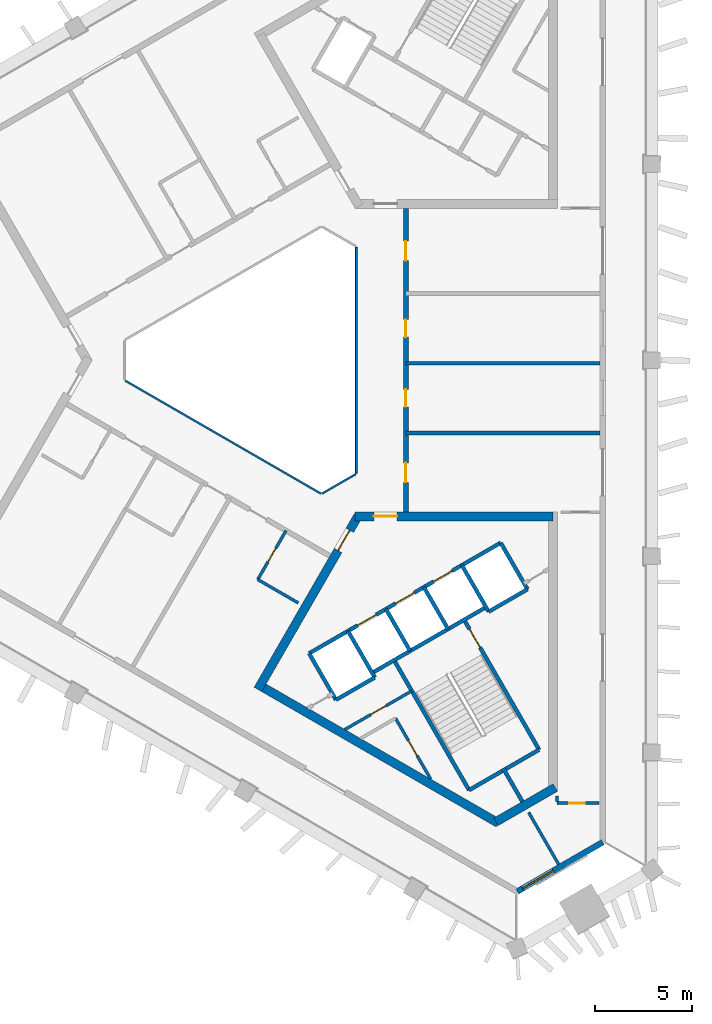
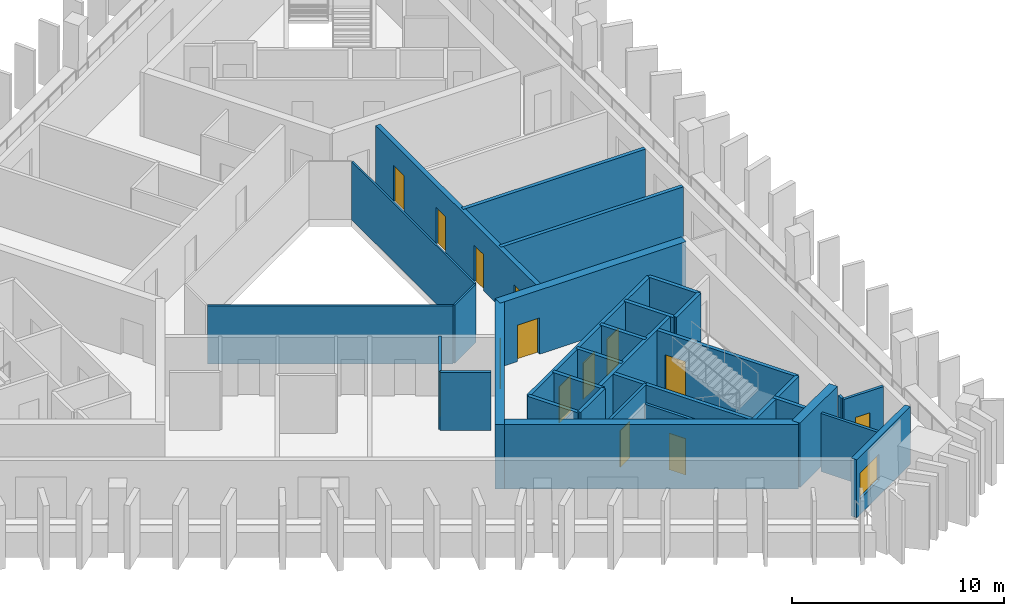
# One storey, part 3 of 9: 32 walls, 14 doors, 1 window, 15 openings.
"""IFC4 building model written with IfcOpenShell, lengths in metres."""

from ifc_helpers import new_model, si_unit, direction, frame, frame_2d, origin, place, context, subcontext, project, spatial, rectangle, extrude, material, layer, layer_set, type_object, element, fill, save


model = new_model("IFC4")

# Units and contexts
model_context = context("Model", 3, precision=1e-05, world=origin(), true_north=direction((0.0, 1.0)))
body_context = subcontext(model_context, "Body", "Model", "MODEL_VIEW")
ifc_project = project(units=[si_unit("LENGTHUNIT", "METRE"), si_unit("AREAUNIT", "SQUARE_METRE"), si_unit("VOLUMEUNIT", "CUBIC_METRE"), si_unit("PLANEANGLEUNIT", "RADIAN"), si_unit("MASSUNIT", "GRAM", prefix="KILO")], contexts=[model_context])

# Site, building, storey
site_placement = place(None, origin())
site = spatial("IfcSite", under=ifc_project, at=site_placement, CompositionType="ELEMENT")
building_placement = place(site_placement, origin())
building = spatial("IfcBuilding", under=site, at=building_placement, Name="Jabali Bay Hotel Tower and Convention Centre", CompositionType="ELEMENT")
storey_placement = place(building_placement, frame((0.0, 0.0, 242.800048828125)))
storey = spatial("IfcBuildingStorey", under=building, at=storey_placement, Name="L60", CompositionType="ELEMENT", Elevation=242.800048828125)

# Walls
ifc_material_1 = material(Name="Fire-resistant glazing", Category="glass")
ifc_layer_1 = layer(ifc_material_1, 0.10009765625)
ifc_layer_set_1 = layer_set([ifc_layer_1], Name="Fire-resistant glazing")
wall_type_1 = type_object("IfcWallType", Name="Atrium glazed screen 100", PredefinedType="PARTITIONING", material=ifc_layer_set_1)
for number, where, z_axis, x_axis, name in (
    (1, (79.56005859375, 74.205810546875, 0.0), (0.0, 0.0, 1.0), (0.0, 1.0, 0.0), "Atrium screen 1 L60"),
    (2, (67.7021484375, 78.947998046875, 0.0), (0.0, 0.0, 1.0), (0.866026658274, -0.499997827154, 0.0), "Atrium screen 5 L60"),
):
    element("IfcWall", number, at=place(storey_placement, frame(where, z_axis=z_axis, x_axis=x_axis)), inside=storey, type_object=wall_type_1, Name=name, PredefinedType="PARTITIONING", context=body_context, shape_type="SweptSolid", body=[
        extrude(rectangle(XDim=11.58837890625, YDim=0.10009765625, at=frame_2d((5.794189453125, 0.0))), origin(), (0.0, 0.0, 1.0), 3.349853515625),
    ])
wall_1_placement = place(storey_placement, frame((77.7978515625, 73.15380859375, 0.0), z_axis=(0.0, 0.0, 1.0), x_axis=(0.866041268327, 0.499972520799, 0.0)))
element("IfcWall", 3, at=wall_1_placement, inside=storey, type_object=wall_type_1, Name="Atrium screen 6 L60", PredefinedType="PARTITIONING", context=body_context, shape_type="SweptSolid", body=[
    extrude(rectangle(XDim=2.0, YDim=0.10009765625, at=frame_2d((1.0, 0.0))), origin(), (0.0, 0.0, 1.0), 3.349853515625),
])
ifc_material_2 = material(Name="Concrete C40", Category="concrete")
ifc_layer_2 = layer(ifc_material_2, 0.199951171875)
ifc_layer_set_2 = layer_set([ifc_layer_2], Name="Concrete C40")
wall_type_2 = type_object("IfcWallType", Name="Core partition wall 200", PredefinedType="PARTITIONING", material=ifc_layer_set_2)
wall_2_placement = place(storey_placement, frame((87.090087890625, 59.0595703125, 0.0), z_axis=(0.0, 0.0, 1.0), x_axis=(0.500011643316, -0.866018681408, 0.0)))
element("IfcWall", 4, at=wall_2_placement, inside=storey, type_object=wall_type_2, Name="Core wall 2.5 L60", PredefinedType="PARTITIONING", context=body_context, shape_type="SweptSolid", body=[
    extrude(rectangle(XDim=1.97314453125, YDim=0.199951171875, at=frame_2d((0.986572265625, 0.0))), origin(), (0.0, 0.0, 1.0), 3.349853515625),
])

# Wall, opening, door
ifc_material_3 = material(Name="Fire-rated board partition")
ifc_layer_3 = layer(ifc_material_3, 0.14990234375)
ifc_layer_set_3 = layer_set([ifc_layer_3], Name="Fire-rated board partition")
wall_type_3 = type_object("IfcWallType", Name="Core room partition 150", PredefinedType="PARTITIONING", material=ifc_layer_set_3)
wall_3_placement = place(storey_placement, frame((81.56884765625, 61.622314453125, 0.0), z_axis=(0.0, 0.0, 1.0), x_axis=(0.500043557135, -0.866000254601, 0.0)))
wall_3 = element("IfcWall", 5, at=wall_3_placement, inside=storey, type_object=wall_type_3, Name="Core wall 2.1 L60", PredefinedType="PARTITIONING", context=body_context, shape_type="SweptSolid", body=[
    extrude(rectangle(XDim=3.597900390625, YDim=0.14990234375, at=frame_2d((1.798828125, 0.0))), origin(), (0.0, 0.0, 1.0), 3.349853515625),
])
opening_1_placement = place(wall_3_placement, frame((1.321533203125, 0.0, 0.0)))
opening_1 = element("IfcOpeningElement", 6, at=opening_1_placement, cuts=wall_3, Name="Opening D1328", PredefinedType="OPENING", context=body_context, shape_type="SweptSolid", body=[
    extrude(rectangle(XDim=0.89990234375, YDim=2.10009765625, at=frame_2d((0.449951171875, 1.050048828125))), frame((0.0, 0.08544921875, 0.0), z_axis=(0.0, -1.0, 0.0), x_axis=(1.0, 0.0, 0.0)), (0.0, 0.0, 1.0), 0.1708984375),
])
ifc_material_4 = material(Name="Fire-rated steel door", Category="steel")
door_type_1 = type_object("IfcDoorType", Name="Core room door 900 x 2100", OperationType="NOTDEFINED", PredefinedType="NOTDEFINED", material=ifc_material_4)
door_1_placement = place(opening_1_placement, origin())
door_1 = element("IfcDoor", 7, at=door_1_placement, inside=storey, type_object=door_type_1, Name="Core room door D1328", OperationType="SINGLE_SWING_LEFT", OverallHeight=2.10009765625, OverallWidth=0.89990234375, PredefinedType="NOTDEFINED", context=body_context, shape_type="SweptSolid", body=[
    extrude(rectangle(XDim=0.89990234375, YDim=2.10009765625, at=frame_2d((0.449951171875, 1.050048828125))), frame((0.0, 0.02490234375, 0.0), z_axis=(0.0, -1.0, 0.0), x_axis=(1.0, 0.0, 0.0)), (0.0, 0.0, 1.0), 0.050048828125),
])
fill(opening_1, door_1)

wall_4_placement = place(storey_placement, frame((78.969970703125, 61.045654296875, 0.0), z_axis=(0.0, 0.0, 1.0), x_axis=(0.866044057189, 0.499967689963, 0.0)))
wall_4 = element("IfcWall", 8, at=wall_4_placement, inside=storey, type_object=wall_type_3, Name="Core wall 2.16 L60", PredefinedType="PARTITIONING", context=body_context, shape_type="SweptSolid", body=[
    extrude(rectangle(XDim=3.964111328125, YDim=0.14990234375, at=frame_2d((1.98193359375, 0.0))), origin(), (0.0, 0.0, 1.0), 3.349853515625),
])
opening_2_placement = place(wall_4_placement, frame((1.531982421875, 0.0, 0.0)))
opening_2 = element("IfcOpeningElement", 9, at=opening_2_placement, cuts=wall_4, Name="Opening D1324", PredefinedType="OPENING", context=body_context, shape_type="SweptSolid", body=[
    extrude(rectangle(XDim=0.89990234375, YDim=2.10009765625, at=frame_2d((0.449951171875, 1.050048828125))), frame((0.0, 0.08544921875, 0.0), z_axis=(0.0, -1.0, 0.0), x_axis=(1.0, 0.0, 0.0)), (0.0, 0.0, 1.0), 0.1708984375),
])
door_2_placement = place(opening_2_placement, origin())
door_2 = element("IfcDoor", 10, at=door_2_placement, inside=storey, type_object=door_type_1, Name="Core room door D1324", OperationType="SINGLE_SWING_RIGHT", OverallHeight=2.10009765625, OverallWidth=0.89990234375, PredefinedType="NOTDEFINED", context=body_context, shape_type="SweptSolid", body=[
    extrude(rectangle(XDim=0.89990234375, YDim=2.10009765625, at=frame_2d((0.449951171875, 1.050048828125))), frame((0.0, 0.02490234375, 0.0), z_axis=(0.0, -1.0, 0.0), x_axis=(1.0, 0.0, 0.0)), (0.0, 0.0, 1.0), 0.050048828125),
])
fill(opening_2, door_2)

# Walls
ifc_layer_4 = layer(ifc_material_2, 0.199951171875)
ifc_layer_set_4 = layer_set([ifc_layer_4], Name="Concrete C40")
wall_type_4 = type_object("IfcWallType", Name="Core stair wall 200", PredefinedType="SOLIDWALL", material=ifc_layer_set_4)
for number, where, z_axis, x_axis, name in (
    (11, (77.13525390625, 64.95166015625, 0.0), (0.0, 0.0, 1.0), (0.499996545922, -0.866027397988, 0.0), "Core wall 2.0 L60"),
    (12, (79.127197265625, 66.1015625, 0.0), (0.0, 0.0, 1.0), (0.499996545922, -0.866027397988, 0.0), "Core wall 2.2 L60"),
):
    element("IfcWall", number, at=place(storey_placement, frame(where, z_axis=z_axis, x_axis=x_axis)), inside=storey, type_object=wall_type_4, Name=name, PredefinedType="SOLIDWALL", context=body_context, shape_type="SweptSolid", body=[
        extrude(rectangle(XDim=2.75, YDim=0.199951171875, at=frame_2d((1.375, 0.0))), origin(), (0.0, 0.0, 1.0), 3.349853515625),
    ])
wall_5_placement = place(storey_placement, frame((81.492919921875, 64.603759765625, 0.0), z_axis=(0.0, 0.0, 1.0), x_axis=(0.500006057782, -0.866021906294, 0.0)))
element("IfcWall", 13, at=wall_5_placement, inside=storey, type_object=wall_type_4, Name="Core wall 2.3 L60", PredefinedType="SOLIDWALL", context=body_context, shape_type="SweptSolid", body=[
    extrude(rectangle(XDim=7.7001953125, YDim=0.199951171875, at=frame_2d((3.85009765625, 0.0))), origin(), (0.0, 0.0, 1.0), 3.349853515625),
])
for number, where, z_axis, x_axis, name in (
    (14, (81.07568359375, 67.2265625, 0.0), (0.0, 0.0, 1.0), (0.50000366821, -0.866023285932, 0.0), "Core wall 2.4 L60"),
    (15, (83.024169921875, 68.3515625, 0.0), (0.0, 0.0, 1.0), (0.50000366821, -0.866023285932, 0.0), "Core wall 2.6 L60"),
):
    element("IfcWall", number, at=place(storey_placement, frame(where, z_axis=z_axis, x_axis=x_axis)), inside=storey, type_object=wall_type_4, Name=name, PredefinedType="SOLIDWALL", context=body_context, shape_type="SweptSolid", body=[
        extrude(rectangle(XDim=2.47998046875, YDim=0.199951171875, at=frame_2d((1.239990234375, 0.0))), origin(), (0.0, 0.0, 1.0), 3.349853515625),
    ])

# Wall, opening, door
wall_6_placement = place(storey_placement, frame((85.0869140625, 66.6787109375, 0.0), z_axis=(0.0, 0.0, 1.0), x_axis=(0.500019787375, -0.866013979237, 0.0)))
wall_6 = element("IfcWall", 16, at=wall_6_placement, inside=storey, type_object=wall_type_4, Name="Core wall 2.7 L60", PredefinedType="SOLIDWALL", context=body_context, shape_type="SweptSolid", body=[
    extrude(rectangle(XDim=7.699951171875, YDim=0.199951171875, at=frame_2d((3.85009765625, 0.0))), origin(), (0.0, 0.0, 1.0), 3.349853515625),
])
opening_3_placement = place(wall_6_placement, frame((0.550048828125, 0.0, 0.0)))
opening_3 = element("IfcOpeningElement", 17, at=opening_3_placement, cuts=wall_6, Name="Opening D1327", PredefinedType="OPENING", context=body_context, shape_type="SweptSolid", body=[
    extrude(rectangle(XDim=1.10009765625, YDim=2.10009765625, at=frame_2d((0.550048828125, 1.050048828125))), frame((0.0, 0.1103515625, 0.0), z_axis=(0.0, -1.0, 0.0), x_axis=(1.0, 0.0, 0.0)), (0.0, 0.0, 1.0), 0.220947265625),
])
door_type_2 = type_object("IfcDoorType", Name="Stair fire door 1100 x 2100", OperationType="NOTDEFINED", PredefinedType="NOTDEFINED", material=ifc_material_4)
door_3_placement = place(opening_3_placement, origin())
door_3 = element("IfcDoor", 18, at=door_3_placement, inside=storey, type_object=door_type_2, Name="Stair fire door D1327", OperationType="SINGLE_SWING_RIGHT", OverallHeight=2.10009765625, OverallWidth=1.10009765625, PredefinedType="NOTDEFINED", context=body_context, shape_type="SweptSolid", body=[
    extrude(rectangle(XDim=1.10009765625, YDim=2.10009765625, at=frame_2d((0.550048828125, 1.050048828125))), frame((0.0, 0.02490234375, 0.0), z_axis=(0.0, -1.0, 0.0), x_axis=(1.0, 0.0, 0.0)), (0.0, 0.0, 1.0), 0.050048828125),
])
fill(opening_3, door_3)

# Walls
for number, where, z_axis, x_axis, name in (
    (19, (84.972900390625, 69.4765625, 0.0), (0.0, 0.0, 1.0), (0.499996545922, -0.866027397988, 0.0), "Core wall 2.8 L60"),
    (20, (86.964599609375, 70.62646484375, 0.0), (0.0, 0.0, 1.0), (0.499996545922, -0.866027397988, 0.0), "Core wall 2.9 L60"),
):
    element("IfcWall", number, at=place(storey_placement, frame(where, z_axis=z_axis, x_axis=x_axis)), inside=storey, type_object=wall_type_4, Name=name, PredefinedType="SOLIDWALL", context=body_context, shape_type="SweptSolid", body=[
        extrude(rectangle(XDim=2.75, YDim=0.199951171875, at=frame_2d((1.375, 0.0))), origin(), (0.0, 0.0, 1.0), 3.349853515625),
    ])

# Wall, openings, doors
wall_7_placement = place(storey_placement, frame((77.13525390625, 64.95166015625, 0.0), z_axis=(0.0, 0.0, 1.0), x_axis=(0.866031916153, 0.499988720078, 0.0)))
wall_7 = element("IfcWall", 21, at=wall_7_placement, inside=storey, type_object=wall_type_4, Name="Core wall 2.10 L60", PredefinedType="SOLIDWALL", context=body_context, shape_type="SweptSolid", body=[
    extrude(rectangle(XDim=11.349853515625, YDim=0.199951171875, at=frame_2d((5.6748046875, 0.0))), origin(), (0.0, 0.0, 1.0), 3.349853515625),
])
opening_4_placement = place(wall_7_placement, frame((2.875, 0.0, 0.0)))
opening_4 = element("IfcOpeningElement", 22, at=opening_4_placement, cuts=wall_7, Name="Opening LD12-L60", PredefinedType="OPENING", context=body_context, shape_type="SweptSolid", body=[
    extrude(rectangle(XDim=1.10009765625, YDim=2.10009765625, at=frame_2d((0.550048828125, 1.050048828125))), frame((0.0, 0.1103515625, 0.0), z_axis=(0.0, -1.0, 0.0), x_axis=(1.0, 0.0, 0.0)), (0.0, 0.0, 1.0), 0.220947265625),
])
opening_5_placement = place(wall_7_placement, frame((5.125, 0.0, 0.0)))
opening_5 = element("IfcOpeningElement", 23, at=opening_5_placement, cuts=wall_7, Name="Opening LD13-L60", PredefinedType="OPENING", context=body_context, shape_type="SweptSolid", body=[
    extrude(rectangle(XDim=1.10009765625, YDim=2.10009765625, at=frame_2d((0.550048828125, 1.050048828125))), frame((0.0, 0.1103515625, 0.0), z_axis=(0.0, -1.0, 0.0), x_axis=(1.0, 0.0, 0.0)), (0.0, 0.0, 1.0), 0.220947265625),
])
opening_6_placement = place(wall_7_placement, frame((7.375, 0.0, 0.0)))
opening_6 = element("IfcOpeningElement", 24, at=opening_6_placement, cuts=wall_7, Name="Opening LD14-L60", PredefinedType="OPENING", context=body_context, shape_type="SweptSolid", body=[
    extrude(rectangle(XDim=1.10009765625, YDim=2.10009765625, at=frame_2d((0.550048828125, 1.050048828125))), frame((0.0, 0.1103515625, 0.0), z_axis=(0.0, -1.0, 0.0), x_axis=(1.0, 0.0, 0.0)), (0.0, 0.0, 1.0), 0.220947265625),
])
ifc_material_5 = material(Name="Stainless steel landing door", Category="steel")
door_type_3 = type_object("IfcDoorType", Name="Landing door 1100 x 2100", OperationType="NOTDEFINED", PredefinedType="NOTDEFINED", material=ifc_material_5)
door_4_placement = place(opening_4_placement, origin())
door_4 = element("IfcDoor", 25, at=door_4_placement, inside=storey, type_object=door_type_3, Name="Landing doors LD12-L60", OperationType="SLIDING_TO_LEFT", OverallHeight=2.10009765625, OverallWidth=1.10009765625, PredefinedType="NOTDEFINED", context=body_context, shape_type="SweptSolid", body=[
    extrude(rectangle(XDim=1.10009765625, YDim=2.10009765625, at=frame_2d((0.550048828125, 1.050048828125))), frame((0.0, 0.02490234375, 0.0), z_axis=(0.0, -1.0, 0.0), x_axis=(1.0, 0.0, 0.0)), (0.0, 0.0, 1.0), 0.050048828125),
])
fill(opening_4, door_4)
door_5_placement = place(opening_5_placement, origin())
door_5 = element("IfcDoor", 26, at=door_5_placement, inside=storey, type_object=door_type_3, Name="Landing doors LD13-L60", OperationType="SLIDING_TO_RIGHT", OverallHeight=2.10009765625, OverallWidth=1.10009765625, PredefinedType="NOTDEFINED", context=body_context, shape_type="SweptSolid", body=[
    extrude(rectangle(XDim=1.10009765625, YDim=2.10009765625, at=frame_2d((0.550048828125, 1.050048828125))), frame((0.0, 0.02490234375, 0.0), z_axis=(0.0, -1.0, 0.0), x_axis=(1.0, 0.0, 0.0)), (0.0, 0.0, 1.0), 0.050048828125),
])
fill(opening_5, door_5)
door_6_placement = place(opening_6_placement, origin())
door_6 = element("IfcDoor", 27, at=door_6_placement, inside=storey, type_object=door_type_3, Name="Landing doors LD14-L60", OperationType="SLIDING_TO_LEFT", OverallHeight=2.10009765625, OverallWidth=1.10009765625, PredefinedType="NOTDEFINED", context=body_context, shape_type="SweptSolid", body=[
    extrude(rectangle(XDim=1.10009765625, YDim=2.10009765625, at=frame_2d((0.550048828125, 1.050048828125))), frame((0.0, 0.02490234375, 0.0), z_axis=(0.0, -1.0, 0.0), x_axis=(1.0, 0.0, 0.0)), (0.0, 0.0, 1.0), 0.050048828125),
])
fill(opening_6, door_6)

# Walls
wall_8_placement = place(storey_placement, frame((80.3671875, 63.953857421875, 0.0), z_axis=(0.0, 0.0, 1.0), x_axis=(0.866026575979, 0.499997969693, 0.0)))
element("IfcWall", 28, at=wall_8_placement, inside=storey, type_object=wall_type_4, Name="Core wall 2.13 L60", PredefinedType="SOLIDWALL", context=body_context, shape_type="SweptSolid", body=[
    extrude(rectangle(XDim=6.75, YDim=0.199951171875, at=frame_2d((3.375, 0.0))), origin(), (0.0, 0.0, 1.0), 3.349853515625),
])
wall_9_placement = place(storey_placement, frame((78.51025390625, 62.570068359375, 0.0), z_axis=(0.0, 0.0, 1.0), x_axis=(0.866053019151, 0.499952165731, 0.0)))
element("IfcWall", 29, at=wall_9_placement, inside=storey, type_object=wall_type_4, Name="Core wall 2.14 L60", PredefinedType="SOLIDWALL", context=body_context, shape_type="SweptSolid", body=[
    extrude(rectangle(XDim=2.300048828125, YDim=0.199951171875, at=frame_2d((1.14990234375, 0.0))), origin(), (0.0, 0.0, 1.0), 3.349853515625),
])
wall_10_placement = place(storey_placement, frame((86.347900390625, 67.094970703125, 0.0), z_axis=(0.0, 0.0, 1.0), x_axis=(0.86602648383, 0.499998129301, 0.0)))
element("IfcWall", 30, at=wall_10_placement, inside=storey, type_object=wall_type_4, Name="Core wall 2.15 L60", PredefinedType="SOLIDWALL", context=body_context, shape_type="SweptSolid", body=[
    extrude(rectangle(XDim=2.2998046875, YDim=0.199951171875, at=frame_2d((1.14990234375, 0.0))), origin(), (0.0, 0.0, 1.0), 3.349853515625),
])
wall_11_placement = place(storey_placement, frame((85.343017578125, 57.935302734375, 0.0), z_axis=(0.0, 0.0, 1.0), x_axis=(0.866004344652, 0.500036473714, 0.0)))
element("IfcWall", 31, at=wall_11_placement, inside=storey, type_object=wall_type_4, Name="Core wall 2.18 L60", PredefinedType="SOLIDWALL", context=body_context, shape_type="SweptSolid", body=[
    extrude(rectangle(XDim=4.150146484375, YDim=0.199951171875, at=frame_2d((2.0751953125, 0.0))), origin(), (0.0, 0.0, 1.0), 3.349853515625),
])

# Wall, opening, door
ifc_material_6 = material(Name="Concrete C60", Category="concrete")
ifc_layer_5 = layer(ifc_material_6, 0.449951171875)
ifc_layer_set_5 = layer_set([ifc_layer_5], Name="Concrete C60")
wall_type_5 = type_object("IfcWallType", Name="Core wall 450", PredefinedType="SHEAR", material=ifc_layer_set_5)
wall_12_placement = place(storey_placement, frame((79.6298828125, 71.980712890625, 0.0), z_axis=(0.0, 0.0, 1.0), x_axis=(-0.500002171595, -0.86602415001, 0.0)))
wall_12 = element("IfcWall", 32, at=wall_12_placement, inside=storey, type_object=wall_type_5, Name="Core wall 3.1 L60", PredefinedType="SHEAR", context=body_context, shape_type="SweptSolid", body=[
    extrude(rectangle(XDim=10.25, YDim=0.449951171875, at=frame_2d((5.125, 0.0))), origin(), (0.0, 0.0, 1.0), 3.699951171875),
])
opening_7_placement = place(wall_12_placement, frame((0.820068359375, 0.0, 0.0)))
opening_7 = element("IfcOpeningElement", 33, at=opening_7_placement, cuts=wall_12, Name="Opening D1322", PredefinedType="OPENING", context=body_context, shape_type="SweptSolid", body=[
    extrude(rectangle(XDim=1.199951171875, YDim=2.10009765625, at=frame_2d((0.60009765625, 1.050048828125))), frame((0.0, 0.2353515625, 0.0), z_axis=(0.0, -1.0, 0.0), x_axis=(1.0, 0.0, 0.0)), (0.0, 0.0, 1.0), 0.470947265625),
])
door_type_4 = type_object("IfcDoorType", Name="Corridor end fire door 1200 x 2100", OperationType="NOTDEFINED", PredefinedType="NOTDEFINED", material=ifc_material_4)
door_7_placement = place(opening_7_placement, origin())
door_7 = element("IfcDoor", 34, at=door_7_placement, inside=storey, type_object=door_type_4, Name="Corridor end fire door D1322", OperationType="SINGLE_SWING_RIGHT", OverallHeight=2.10009765625, OverallWidth=1.199951171875, PredefinedType="NOTDEFINED", context=body_context, shape_type="SweptSolid", body=[
    extrude(rectangle(XDim=1.199951171875, YDim=2.10009765625, at=frame_2d((0.60009765625, 1.050048828125))), frame((0.0, 0.02490234375, 0.0), z_axis=(0.0, -1.0, 0.0), x_axis=(1.0, 0.0, 0.0)), (0.0, 0.0, 1.0), 0.050048828125),
])
fill(opening_7, door_7)

# Walls
wall_13_placement = place(storey_placement, frame((74.617431640625, 63.298828125, 0.0), z_axis=(0.0, 0.0, 1.0), x_axis=(0.86602594008, -0.499999071108, 0.0)))
element("IfcWall", 35, at=wall_13_placement, inside=storey, type_object=wall_type_5, Name="Core wall 3.2 L60", PredefinedType="SHEAR", context=body_context, shape_type="SweptSolid", body=[
    extrude(rectangle(XDim=14.1083984375, YDim=0.449951171875, at=frame_2d((7.05419921875, 0.0))), origin(), (0.0, 0.0, 1.0), 3.699951171875),
])
wall_14_placement = place(storey_placement, frame((86.72314453125, 56.3095703125, 0.0), z_axis=(0.0, 0.0, 1.0), x_axis=(0.866042179588, 0.49997094233, 0.0)))
element("IfcWall", 36, at=wall_14_placement, inside=storey, type_object=wall_type_5, Name="Core wall 3.3 L60", PredefinedType="SHEAR", context=body_context, shape_type="SweptSolid", body=[
    extrude(rectangle(XDim=3.515380859375, YDim=0.449951171875, at=frame_2d((1.7578125, 0.0))), origin(), (0.0, 0.0, 1.0), 3.699951171875),
])

# Wall, opening, door
wall_15_placement = place(storey_placement, frame((89.655029296875, 71.980712890625, 0.0), z_axis=(0.0, 0.0, 1.0), x_axis=(-1.0, 0.0, 0.0)))
wall_15 = element("IfcWall", 37, at=wall_15_placement, inside=storey, type_object=wall_type_5, Name="Core wall 3.5 L60", PredefinedType="SHEAR", context=body_context, shape_type="SweptSolid", body=[
    extrude(rectangle(XDim=10.155029296875, YDim=0.449951171875, at=frame_2d((5.07763671875, 0.0))), origin(), (0.0, 0.0, 1.0), 3.699951171875),
])
opening_8_placement = place(wall_15_placement, frame((8.0048828125, 0.0, 0.0)))
opening_8 = element("IfcOpeningElement", 38, at=opening_8_placement, cuts=wall_15, Name="Opening D1323", PredefinedType="OPENING", context=body_context, shape_type="SweptSolid", body=[
    extrude(rectangle(XDim=1.199951171875, YDim=2.10009765625, at=frame_2d((0.60009765625, 1.050048828125))), frame((0.0, 0.2353515625, 0.0), z_axis=(0.0, -1.0, 0.0), x_axis=(1.0, 0.0, 0.0)), (0.0, 0.0, 1.0), 0.470947265625),
])
door_8_placement = place(opening_8_placement, origin())
door_8 = element("IfcDoor", 39, at=door_8_placement, inside=storey, type_object=door_type_4, Name="Corridor end fire door D1323", OperationType="SINGLE_SWING_LEFT", OverallHeight=2.10009765625, OverallWidth=1.199951171875, PredefinedType="NOTDEFINED", context=body_context, shape_type="SweptSolid", body=[
    extrude(rectangle(XDim=1.199951171875, YDim=2.10009765625, at=frame_2d((0.60009765625, 1.050048828125))), frame((0.0, 0.02490234375, 0.0), z_axis=(0.0, -1.0, 0.0), x_axis=(1.0, 0.0, 0.0)), (0.0, 0.0, 1.0), 0.050048828125),
])
fill(opening_8, door_8)

# Wall, openings, doors
ifc_layer_6 = layer(ifc_material_6, 0.25)
ifc_layer_set_6 = layer_set([ifc_layer_6], Name="Concrete C60")
wall_type_6 = type_object("IfcWallType", Name="Corridor wall 250", PredefinedType="SHEAR", material=ifc_layer_set_6)
wall_16_placement = place(storey_placement, frame((82.10009765625, 72.205810546875, 0.0), z_axis=(0.0, 0.0, 1.0), x_axis=(0.0, 1.0, 0.0)))
wall_16 = element("IfcWall", 40, at=wall_16_placement, inside=storey, type_object=wall_type_6, Name="Corridor wall 1 L60", PredefinedType="SHEAR", context=body_context, shape_type="SweptSolid", body=[
    extrude(rectangle(XDim=15.58837890625, YDim=0.25, at=frame_2d((7.794189453125, 0.0))), origin(), (0.0, 0.0, 1.0), 3.349853515625),
])
opening_9_placement = place(wall_16_placement, frame((1.526611328125, 0.0, 0.0)))
opening_9 = element("IfcOpeningElement", 41, at=opening_9_placement, cuts=wall_16, Name="Opening 6001", PredefinedType="OPENING", context=body_context, shape_type="SweptSolid", body=[
    extrude(rectangle(XDim=1.0, YDim=2.10009765625, at=frame_2d((0.5, 1.050048828125))), frame((0.0, 0.135498046875, 0.0), z_axis=(0.0, -1.0, 0.0), x_axis=(1.0, 0.0, 0.0)), (0.0, 0.0, 1.0), 0.27099609375),
])
opening_10_placement = place(wall_16_placement, frame((5.395751953125, 0.0, 0.0)))
opening_10 = element("IfcOpeningElement", 42, at=opening_10_placement, cuts=wall_16, Name="Opening 6004", PredefinedType="OPENING", context=body_context, shape_type="SweptSolid", body=[
    extrude(rectangle(XDim=0.89990234375, YDim=2.10009765625, at=frame_2d((0.449951171875, 1.050048828125))), frame((0.0, 0.135498046875, 0.0), z_axis=(0.0, -1.0, 0.0), x_axis=(1.0, 0.0, 0.0)), (0.0, 0.0, 1.0), 0.27099609375),
])
opening_11_placement = place(wall_16_placement, frame((8.98095703125, 0.0, 0.0)))
opening_11 = element("IfcOpeningElement", 43, at=opening_11_placement, cuts=wall_16, Name="Opening 6005", PredefinedType="OPENING", context=body_context, shape_type="SweptSolid", body=[
    extrude(rectangle(XDim=0.89990234375, YDim=2.10009765625, at=frame_2d((0.449951171875, 1.050048828125))), frame((0.0, 0.135498046875, 0.0), z_axis=(0.0, -1.0, 0.0), x_axis=(1.0, 0.0, 0.0)), (0.0, 0.0, 1.0), 0.27099609375),
])
opening_12_placement = place(wall_16_placement, frame((12.906005859375, 0.0, 0.0)))
opening_12 = element("IfcOpeningElement", 44, at=opening_12_placement, cuts=wall_16, Name="Opening 6006", PredefinedType="OPENING", context=body_context, shape_type="SweptSolid", body=[
    extrude(rectangle(XDim=1.0, YDim=2.10009765625, at=frame_2d((0.5, 1.050048828125))), frame((0.0, 0.135498046875, 0.0), z_axis=(0.0, -1.0, 0.0), x_axis=(1.0, 0.0, 0.0)), (0.0, 0.0, 1.0), 0.27099609375),
])
ifc_material_7 = material(Name="Timber", Category="wood")
door_type_5 = type_object("IfcDoorType", Name="Guest room door 1000 x 2100", OperationType="NOTDEFINED", PredefinedType="NOTDEFINED", material=ifc_material_7)
door_9_placement = place(opening_9_placement, origin())
door_9 = element("IfcDoor", 45, at=door_9_placement, inside=storey, type_object=door_type_5, Name="Door 6001", OperationType="SINGLE_SWING_LEFT", OverallHeight=2.10009765625, OverallWidth=1.0, PredefinedType="NOTDEFINED", context=body_context, shape_type="SweptSolid", body=[
    extrude(rectangle(XDim=1.0, YDim=2.10009765625, at=frame_2d((0.5, 1.050048828125))), frame((0.0, 0.02490234375, 0.0), z_axis=(0.0, -1.0, 0.0), x_axis=(1.0, 0.0, 0.0)), (0.0, 0.0, 1.0), 0.050048828125),
])
fill(opening_9, door_9)
door_10_placement = place(opening_12_placement, origin())
door_10 = element("IfcDoor", 46, at=door_10_placement, inside=storey, type_object=door_type_5, Name="Door 6006", OperationType="SINGLE_SWING_RIGHT", OverallHeight=2.10009765625, OverallWidth=1.0, PredefinedType="NOTDEFINED", context=body_context, shape_type="SweptSolid", body=[
    extrude(rectangle(XDim=1.0, YDim=2.10009765625, at=frame_2d((0.5, 1.050048828125))), frame((0.0, 0.02490234375, 0.0), z_axis=(0.0, -1.0, 0.0), x_axis=(1.0, 0.0, 0.0)), (0.0, 0.0, 1.0), 0.050048828125),
])
fill(opening_12, door_10)
door_type_6 = type_object("IfcDoorType", Name="Internal door 900 x 2100", OperationType="NOTDEFINED", PredefinedType="NOTDEFINED", material=ifc_material_7)
door_11_placement = place(opening_10_placement, origin())
door_11 = element("IfcDoor", 47, at=door_11_placement, inside=storey, type_object=door_type_6, Name="Door 6004", OperationType="SINGLE_SWING_LEFT", OverallHeight=2.10009765625, OverallWidth=0.89990234375, PredefinedType="NOTDEFINED", context=body_context, shape_type="SweptSolid", body=[
    extrude(rectangle(XDim=0.89990234375, YDim=2.10009765625, at=frame_2d((0.449951171875, 1.050048828125))), frame((0.0, 0.02490234375, 0.0), z_axis=(0.0, -1.0, 0.0), x_axis=(1.0, 0.0, 0.0)), (0.0, 0.0, 1.0), 0.050048828125),
])
fill(opening_10, door_11)
door_12_placement = place(opening_11_placement, origin())
door_12 = element("IfcDoor", 48, at=door_12_placement, inside=storey, type_object=door_type_6, Name="Door 6005", OperationType="SINGLE_SWING_RIGHT", OverallHeight=2.10009765625, OverallWidth=0.89990234375, PredefinedType="NOTDEFINED", context=body_context, shape_type="SweptSolid", body=[
    extrude(rectangle(XDim=0.89990234375, YDim=2.10009765625, at=frame_2d((0.449951171875, 1.050048828125))), frame((0.0, 0.02490234375, 0.0), z_axis=(0.0, -1.0, 0.0), x_axis=(1.0, 0.0, 0.0)), (0.0, 0.0, 1.0), 0.050048828125),
])
fill(opening_11, door_12)

# Wall, opening, window
ifc_layer_7 = layer(ifc_material_2, 0.300048828125)
ifc_layer_set_7 = layer_set([ifc_layer_7], Name="Concrete C40")
wall_type_7 = type_object("IfcWallType", Name="External wall 300", PredefinedType="SOLIDWALL", material=ifc_layer_set_7)
wall_17_placement = place(storey_placement, frame((92.203857421875, 55.26318359375, 0.0), z_axis=(0.0, 0.0, 1.0), x_axis=(-0.866028941823, -0.499993871887, 0.0)))
wall_17 = element("IfcWall", 49, at=wall_17_placement, inside=storey, type_object=wall_type_7, Name="External wall south-east chamfer L60", PredefinedType="SOLIDWALL", context=body_context, shape_type="SweptSolid", body=[
    extrude(rectangle(XDim=5.06103515625, YDim=0.300048828125, at=frame_2d((2.530517578125, 0.0))), origin(), (0.0, 0.0, 1.0), 3.349853515625),
])
opening_13_placement = place(wall_17_placement, frame((2.9384765625, 0.0, 0.89990234375)))
opening_13 = element("IfcOpeningElement", 50, at=opening_13_placement, cuts=wall_17, Name="Opening W1", PredefinedType="OPENING", context=body_context, shape_type="SweptSolid", body=[
    extrude(rectangle(XDim=1.800048828125, YDim=1.5, at=frame_2d((0.89990234375, 0.75))), frame((0.0, 0.16064453125, 0.0), z_axis=(0.0, -1.0, 0.0), x_axis=(1.0, 0.0, 0.0)), (0.0, 0.0, 1.0), 0.321044921875),
])
ifc_material_8 = material(Name="Glass", Category="glass")
window_type = type_object("IfcWindowType", Name="Window 1800 x 1500", PartitioningType="SINGLE_PANEL", PredefinedType="WINDOW", material=ifc_material_8)
window_placement = place(opening_13_placement, origin())
window = element("IfcWindow", 51, at=window_placement, inside=storey, type_object=window_type, Name="Window 6010", OverallHeight=1.5, OverallWidth=1.800048828125, PartitioningType="SINGLE_PANEL", PredefinedType="WINDOW", context=body_context, shape_type="SweptSolid", body=[
    extrude(rectangle(XDim=1.800048828125, YDim=1.5, at=frame_2d((0.89990234375, 0.75))), frame((0.0, 0.030029296875, 0.0), z_axis=(0.0, -1.0, 0.0), x_axis=(1.0, 0.0, 0.0)), (0.0, 0.0, 1.0), 0.06005859375),
])
fill(opening_13, window)

# Wall
ifc_material_9 = material(Name="Plasterboard on steel stud", Category="steel")
ifc_layer_8 = layer(ifc_material_9, 0.14990234375)
ifc_layer_set_8 = layer_set([ifc_layer_8], Name="Plasterboard on steel stud")
wall_type_8 = type_object("IfcWallType", Name="Partition 150 wet", PredefinedType="PARTITIONING", material=ifc_layer_set_8)
wall_18_placement = place(storey_placement, frame((89.861083984375, 57.631591796875, 0.0), z_axis=(0.0, 0.0, 1.0), x_axis=(0.0, -1.0, 0.0)))
element("IfcWall", 52, at=wall_18_placement, inside=storey, type_object=wall_type_8, Name="Partition P03 L60 003", PredefinedType="PARTITIONING", context=body_context, shape_type="SweptSolid", body=[
    extrude(rectangle(XDim=0.28369140625, YDim=0.14990234375, at=frame_2d((0.141845703125, 0.0))), origin(), (0.0, 0.0, 1.0), 3.349853515625),
])

# Wall, opening, door
wall_19_placement = place(storey_placement, frame((89.861083984375, 57.26806640625, 0.0), z_axis=(0.0, 0.0, 1.0), x_axis=(1.0, 0.0, 0.0)))
wall_19 = element("IfcWall", 53, at=wall_19_placement, inside=storey, type_object=wall_type_8, Name="Partition P03 L60 004", PredefinedType="PARTITIONING", context=body_context, shape_type="SweptSolid", body=[
    extrude(rectangle(XDim=2.152587890625, YDim=0.14990234375, at=frame_2d((1.076171875, 0.0))), origin(), (0.0, 0.0, 1.0), 3.349853515625),
])
opening_14_placement = place(wall_19_placement, frame((0.6201171875, 0.0, 0.0)))
opening_14 = element("IfcOpeningElement", 54, at=opening_14_placement, cuts=wall_19, Name="Opening 6003", PredefinedType="OPENING", context=body_context, shape_type="SweptSolid", body=[
    extrude(rectangle(XDim=0.800048828125, YDim=2.10009765625, at=frame_2d((0.39990234375, 1.050048828125))), frame((0.0, 0.08544921875, 0.0), z_axis=(0.0, -1.0, 0.0), x_axis=(1.0, 0.0, 0.0)), (0.0, 0.0, 1.0), 0.1708984375),
])
door_type_7 = type_object("IfcDoorType", Name="En-suite door 800 x 2100", OperationType="NOTDEFINED", PredefinedType="NOTDEFINED", material=ifc_material_7)
door_13_placement = place(opening_14_placement, origin())
door_13 = element("IfcDoor", 55, at=door_13_placement, inside=storey, type_object=door_type_7, Name="Door 6003", OperationType="SINGLE_SWING_RIGHT", OverallHeight=2.10009765625, OverallWidth=0.800048828125, PredefinedType="NOTDEFINED", context=body_context, shape_type="SweptSolid", body=[
    extrude(rectangle(XDim=0.800048828125, YDim=2.10009765625, at=frame_2d((0.39990234375, 1.050048828125))), frame((0.0, 0.02490234375, 0.0), z_axis=(0.0, -1.0, 0.0), x_axis=(1.0, 0.0, 0.0)), (0.0, 0.0, 1.0), 0.050048828125),
])
fill(opening_14, door_13)

# Walls
wall_20_placement = place(storey_placement, frame((88.40185546875, 56.789306640625, 0.0), z_axis=(0.0, 0.0, 1.0), x_axis=(0.500008936691, -0.866020244122, 0.0)))
element("IfcWall", 56, at=wall_20_placement, inside=storey, type_object=wall_type_8, Name="Partition P03 L60 005", PredefinedType="PARTITIONING", context=body_context, shape_type="SweptSolid", body=[
    extrude(rectangle(XDim=3.07373046875, YDim=0.14990234375, at=frame_2d((1.536865234375, 0.0))), origin(), (0.0, 0.0, 1.0), 3.349853515625),
])
wall_21_placement = place(storey_placement, frame((76.57763671875, 67.542236328125, 0.0), z_axis=(0.0, 0.0, 1.0), x_axis=(-0.866038271014, 0.499977712642, 0.0)))
element("IfcWall", 57, at=wall_21_placement, inside=storey, type_object=wall_type_8, Name="Partition P03 L60 026", PredefinedType="PARTITIONING", context=body_context, shape_type="SweptSolid", body=[
    extrude(rectangle(XDim=2.40087890625, YDim=0.14990234375, at=frame_2d((1.200439453125, 0.0))), origin(), (0.0, 0.0, 1.0), 3.349853515625),
])

# Wall, opening, door
wall_22_placement = place(storey_placement, frame((74.498291015625, 68.74267578125, 0.0), z_axis=(0.0, 0.0, 1.0), x_axis=(0.499987231761, 0.866032775405, 0.0)))
wall_22 = element("IfcWall", 58, at=wall_22_placement, inside=storey, type_object=wall_type_8, Name="Partition P03 L60 027", PredefinedType="PARTITIONING", context=body_context, shape_type="SweptSolid", body=[
    extrude(rectangle(XDim=2.89990234375, YDim=0.14990234375, at=frame_2d((1.449951171875, 0.0))), origin(), (0.0, 0.0, 1.0), 3.349853515625),
])
opening_15_placement = place(wall_22_placement, frame((1.050048828125, 0.0, 0.0)))
opening_15 = element("IfcOpeningElement", 59, at=opening_15_placement, cuts=wall_22, Name="Opening 6018", PredefinedType="OPENING", context=body_context, shape_type="SweptSolid", body=[
    extrude(rectangle(XDim=0.800048828125, YDim=2.10009765625, at=frame_2d((0.39990234375, 1.050048828125))), frame((0.0, 0.08544921875, 0.0), z_axis=(0.0, -1.0, 0.0), x_axis=(1.0, 0.0, 0.0)), (0.0, 0.0, 1.0), 0.1708984375),
])
door_14_placement = place(opening_15_placement, origin())
door_14 = element("IfcDoor", 60, at=door_14_placement, inside=storey, type_object=door_type_7, Name="Door 6018", OperationType="SINGLE_SWING_RIGHT", OverallHeight=2.10009765625, OverallWidth=0.800048828125, PredefinedType="NOTDEFINED", context=body_context, shape_type="SweptSolid", body=[
    extrude(rectangle(XDim=0.800048828125, YDim=2.10009765625, at=frame_2d((0.39990234375, 1.050048828125))), frame((0.0, 0.02490234375, 0.0), z_axis=(0.0, -1.0, 0.0), x_axis=(1.0, 0.0, 0.0)), (0.0, 0.0, 1.0), 0.050048828125),
])
fill(opening_15, door_14)

# Walls
ifc_layer_9 = layer(ifc_material_9, 0.199951171875)
ifc_layer_set_9 = layer_set([ifc_layer_9], Name="Plasterboard on steel stud")
wall_type_9 = type_object("IfcWallType", Name="Partition 200 party", PredefinedType="PARTITIONING", material=ifc_layer_set_9)
for number, where, z_axis, x_axis, name in (
    (61, (92.0546875, 76.2587890625, 0.0), (0.0, 0.0, 1.0), (-1.0, 0.0, 0.0), "Partition P01 L60 002"),
    (62, (92.0546875, 79.843994140625, 0.0), (0.0, 0.0, 1.0), (-1.0, 0.0, 0.0), "Partition P01 L60 006"),
):
    element("IfcWall", number, at=place(storey_placement, frame(where, z_axis=z_axis, x_axis=x_axis)), inside=storey, type_object=wall_type_9, Name=name, PredefinedType="PARTITIONING", context=body_context, shape_type="SweptSolid", body=[
        extrude(rectangle(XDim=9.95458984375, YDim=0.199951171875, at=frame_2d((4.977294921875, 0.0))), origin(), (0.0, 0.0, 1.0), 3.349853515625),
    ])

save(model, "model.ifc")
